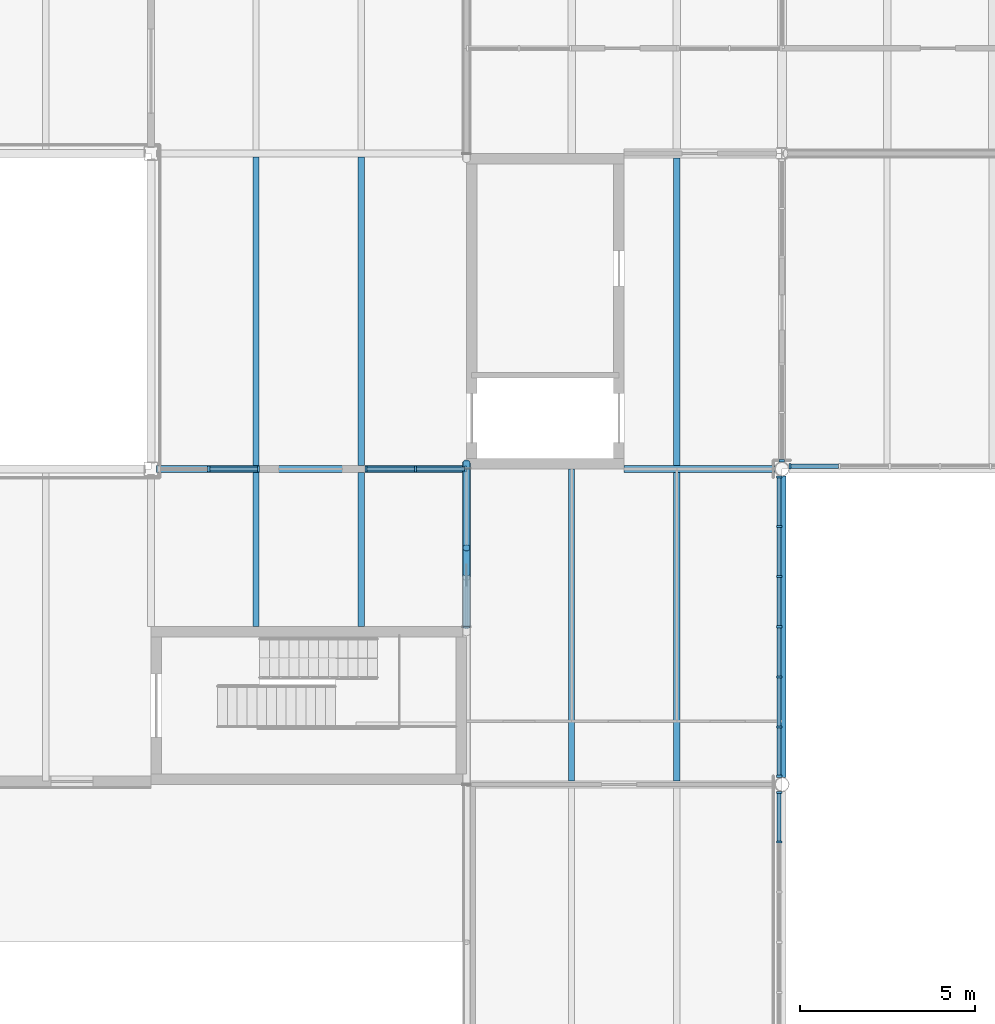
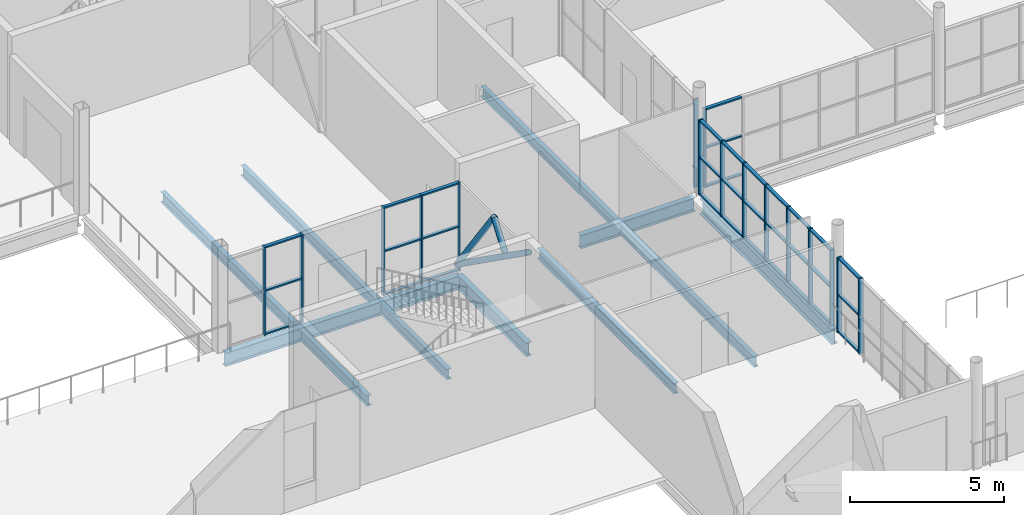
# One storey, part 16 of 57: 52 members, 11 beams, 6 elements without a shape of their own.
"""IFC4 building model written with IfcOpenShell, lengths in metres."""

from ifc_helpers import new_model, si_unit, direction, frame, origin, origin_2d, place, context, subcontext, project, spatial, rectangle, hollow_circle, i_section, extrude, material, layer, layer_set, material_profile, profile_set, type_object, element, aggregate, save


model = new_model("IFC4")

# Units and contexts
model_context = context("Model", 3, precision=1e-05, world=origin(), true_north=direction((0.0, 1.0)))
body_context = subcontext(model_context, "Body", "Model", "MODEL_VIEW")
ifc_project = project(units=[si_unit("LENGTHUNIT", "METRE"), si_unit("AREAUNIT", "SQUARE_METRE"), si_unit("VOLUMEUNIT", "CUBIC_METRE"), si_unit("PLANEANGLEUNIT", "RADIAN"), si_unit("MASSUNIT", "GRAM", prefix="KILO")], contexts=[model_context])

# Site, building, storey
site_placement = place(None, origin())
site = spatial("IfcSite", under=ifc_project, at=site_placement, CompositionType="ELEMENT")
building_placement = place(site_placement, origin())
building = spatial("IfcBuilding", under=site, at=building_placement, Name="Halyard Row Museum", CompositionType="ELEMENT")
storey_placement = place(building_placement, frame((0.0, 0.0, 5.0)))
storey = spatial("IfcBuildingStorey", under=building, at=storey_placement, Name="L01", CompositionType="ELEMENT", Elevation=5.0)

# Members
ifc_material_1 = material(Name="Steel Grade C350L0", Category="steel")
ifc_material_profile_1 = material_profile(ifc_material_1, hollow_circle(Radius=0.109619140625, WallThickness=0.00830078125, at=origin_2d()), Name="219.1x8.2CHS")
ifc_profile_set_1 = profile_set([ifc_material_profile_1], Name="Steel Grade C350L0")
member_type_1 = type_object("IfcMemberType", Name="Brace 219.1x8.2CHS", PredefinedType="BRACE", material=ifc_profile_set_1)
member_1_placement = place(storey_placement, frame((72.0, 27.169921875, 0.109619140625), z_axis=(0.0, -0.815943991919, 0.578130955797), x_axis=(1.0, 0.0, 0.0)))
element("IfcMember", 1, at=member_1_placement, inside=storey, type_object=member_type_1, Name="Brace L01 X72 18-27 B", PredefinedType="BRACE", context=body_context, shape_type="SweptSolid", body=[
    extrude(hollow_circle(Radius=0.109619140625, WallThickness=0.00830078125, at=origin_2d()), origin(), (0.0, 0.0, 1.0), 5.723388671875),
])
member_2_placement = place(storey_placement, frame((72.0, 24.0380859375, 2.462890625), z_axis=(0.0, 0.58754853395, 0.809188927416), x_axis=(-1.0, 0.0, 0.0)))
element("IfcMember", 2, at=member_2_placement, inside=storey, type_object=member_type_1, Name="Brace L01 X72 22.5-27 A upper", PredefinedType="BRACE", context=body_context, shape_type="SweptSolid", body=[
    extrude(hollow_circle(Radius=0.109619140625, WallThickness=0.00830078125, at=origin_2d()), origin(), (0.0, 0.0, 1.0), 1.211669921875),
])
member_3_placement = place(storey_placement, frame((72.0, 27.169921875, 0.109619140625), z_axis=(0.0, -0.587438487469, 0.809268820257), x_axis=(1.0, 0.0, 0.0)))
element("IfcMember", 3, at=member_3_placement, inside=storey, type_object=member_type_1, Name="Brace L01 X72 22.5-27 B", PredefinedType="BRACE", context=body_context, shape_type="SweptSolid", body=[
    extrude(hollow_circle(Radius=0.109619140625, WallThickness=0.00830078125, at=origin_2d()), origin(), (0.0, 0.0, 1.0), 4.119384765625),
])

# Curtain wall, member
ifc_material_2 = material(Name="Fire-resisting laminated glazing", Category="glass")
ifc_layer = layer(ifc_material_2, 0.159912109375)
ifc_layer_set = layer_set([ifc_layer], Name="Fire-resisting laminated glazing")
curtain_wall_type = type_object("IfcCurtainWallType", Name="Curtain wall atrium screen 160 deep", PredefinedType="NOTDEFINED", material=ifc_layer_set)
curtain_wall_1_placement = place(storey_placement, origin())
curtain_wall_1 = element("IfcCurtainWall", 4, at=curtain_wall_1_placement, inside=storey, type_object=curtain_wall_type, Name="Curtain wall CW081", PredefinedType="NOTDEFINED")
ifc_material_3 = material(Name="Powder-coated aluminium section", Category="aluminium")
ifc_material_profile_2 = material_profile(ifc_material_3, rectangle(XDim=0.159912109375, YDim=0.06005859375, at=origin_2d()), Name="160x60 mullion")
ifc_profile_set_2 = profile_set([ifc_material_profile_2], Name="Powder-coated aluminium section")
member_type_2 = type_object("IfcMemberType", Name="Curtain wall mullion CM5 60 x 160", PredefinedType="MULLION", material=ifc_profile_set_2)
member_4_placement = place(storey_placement, frame((81.233154296875, 27.080078125, 0.0), z_axis=(0.0, 0.0, 1.0), x_axis=(0.0, -1.0, 0.0)))
member_4 = element("IfcMember", 5, at=member_4_placement, type_object=member_type_2, Name="CW081 mullion 7", PredefinedType="MULLION", context=body_context, shape_type="SweptSolid", body=[
    extrude(rectangle(XDim=0.159912109375, YDim=0.06005859375, at=origin_2d()), origin(), (0.0, 0.0, 1.0), 3.12451171875),
])

# Curtain wall, members
curtain_wall_2_placement = place(storey_placement, origin())
curtain_wall_2 = element("IfcCurtainWall", 6, at=curtain_wall_2_placement, inside=storey, type_object=curtain_wall_type, Name="Curtain wall CW082", PredefinedType="NOTDEFINED")
member_5_placement = place(storey_placement, frame((80.919921875, 26.766845703125, 0.0), z_axis=(0.0, 0.0, 1.0), x_axis=(1.0, 0.0, 0.0)))
member_5 = element("IfcMember", 7, at=member_5_placement, type_object=member_type_2, Name="CW082 mullion 1", PredefinedType="MULLION", context=body_context, shape_type="SweptSolid", body=[
    extrude(rectangle(XDim=0.159912109375, YDim=0.06005859375, at=origin_2d()), origin(), (0.0, 0.0, 1.0), 2.985107421875),
])
member_6_placement = place(storey_placement, frame((80.919921875, 25.364501953125, 0.0), z_axis=(0.0, 0.0, 1.0), x_axis=(1.0, 0.0, 0.0)))
member_6 = element("IfcMember", 8, at=member_6_placement, type_object=member_type_2, Name="CW082 mullion 2", PredefinedType="MULLION", context=body_context, shape_type="SweptSolid", body=[
    extrude(rectangle(XDim=0.159912109375, YDim=0.06005859375, at=origin_2d()), origin(), (0.0, 0.0, 1.0), 2.985107421875),
])
member_7_placement = place(storey_placement, frame((80.919921875, 23.932373046875, 0.0), z_axis=(0.0, 0.0, 1.0), x_axis=(1.0, 0.0, 0.0)))
member_7 = element("IfcMember", 9, at=member_7_placement, type_object=member_type_2, Name="CW082 mullion 3", PredefinedType="MULLION", context=body_context, shape_type="SweptSolid", body=[
    extrude(rectangle(XDim=0.159912109375, YDim=0.06005859375, at=origin_2d()), origin(), (0.0, 0.0, 1.0), 2.985107421875),
])
member_8_placement = place(storey_placement, frame((80.919921875, 22.5, 0.0), z_axis=(0.0, 0.0, 1.0), x_axis=(1.0, 0.0, 0.0)))
member_8 = element("IfcMember", 10, at=member_8_placement, type_object=member_type_2, Name="CW082 mullion 4", PredefinedType="MULLION", context=body_context, shape_type="SweptSolid", body=[
    extrude(rectangle(XDim=0.159912109375, YDim=0.06005859375, at=origin_2d()), origin(), (0.0, 0.0, 1.0), 2.985107421875),
])
member_9_placement = place(storey_placement, frame((80.919921875, 21.067626953125, 0.0), z_axis=(0.0, 0.0, 1.0), x_axis=(1.0, 0.0, 0.0)))
member_9 = element("IfcMember", 11, at=member_9_placement, type_object=member_type_2, Name="CW082 mullion 5", PredefinedType="MULLION", context=body_context, shape_type="SweptSolid", body=[
    extrude(rectangle(XDim=0.159912109375, YDim=0.06005859375, at=origin_2d()), origin(), (0.0, 0.0, 1.0), 2.985107421875),
])
member_10_placement = place(storey_placement, frame((80.919921875, 19.635498046875, 0.0), z_axis=(0.0, 0.0, 1.0), x_axis=(1.0, 0.0, 0.0)))
member_10 = element("IfcMember", 12, at=member_10_placement, type_object=member_type_2, Name="CW082 mullion 6", PredefinedType="MULLION", context=body_context, shape_type="SweptSolid", body=[
    extrude(rectangle(XDim=0.159912109375, YDim=0.06005859375, at=origin_2d()), origin(), (0.0, 0.0, 1.0), 2.985107421875),
])
member_11_placement = place(storey_placement, frame((80.919921875, 18.233154296875, 0.0), z_axis=(0.0, 0.0, 1.0), x_axis=(1.0, 0.0, 0.0)))
member_11 = element("IfcMember", 13, at=member_11_placement, type_object=member_type_2, Name="CW082 mullion 7", PredefinedType="MULLION", context=body_context, shape_type="SweptSolid", body=[
    extrude(rectangle(XDim=0.159912109375, YDim=0.06005859375, at=origin_2d()), origin(), (0.0, 0.0, 1.0), 2.985107421875),
])

curtain_wall_3_placement = place(storey_placement, origin())
curtain_wall_3 = element("IfcCurtainWall", 14, at=curtain_wall_3_placement, inside=storey, type_object=curtain_wall_type, Name="Curtain wall CW083", PredefinedType="NOTDEFINED")
member_12_placement = place(storey_placement, frame((80.919921875, 17.766845703125, 0.0), z_axis=(0.0, 0.0, 1.0), x_axis=(1.0, 0.0, 0.0)))
member_12 = element("IfcMember", 15, at=member_12_placement, type_object=member_type_2, Name="CW083 mullion 1", PredefinedType="MULLION", context=body_context, shape_type="SweptSolid", body=[
    extrude(rectangle(XDim=0.159912109375, YDim=0.06005859375, at=origin_2d()), origin(), (0.0, 0.0, 1.0), 2.985107421875),
])
member_13_placement = place(storey_placement, frame((80.919921875, 16.364501953125, 0.0), z_axis=(0.0, 0.0, 1.0), x_axis=(1.0, 0.0, 0.0)))
member_13 = element("IfcMember", 16, at=member_13_placement, type_object=member_type_2, Name="CW083 mullion 2", PredefinedType="MULLION", context=body_context, shape_type="SweptSolid", body=[
    extrude(rectangle(XDim=0.159912109375, YDim=0.06005859375, at=origin_2d()), origin(), (0.0, 0.0, 1.0), 2.985107421875),
])

curtain_wall_4_placement = place(storey_placement, origin())
curtain_wall_4 = element("IfcCurtainWall", 17, at=curtain_wall_4_placement, inside=storey, type_object=curtain_wall_type, Name="Curtain wall CW142", PredefinedType="NOTDEFINED")
member_14_placement = place(storey_placement, frame((64.64990234375, 27.0, 0.0), z_axis=(0.0, 0.0, 1.0), x_axis=(0.0, 1.0, 0.0)))
member_14 = element("IfcMember", 18, at=member_14_placement, type_object=member_type_2, Name="CW142 mullion 2", PredefinedType="MULLION", context=body_context, shape_type="SweptSolid", body=[
    extrude(rectangle(XDim=0.159912109375, YDim=0.06005859375, at=origin_2d()), origin(), (0.0, 0.0, 1.0), 3.501953125),
])
member_15_placement = place(storey_placement, frame((66.070068359375, 27.0, 0.0), z_axis=(0.0, 0.0, 1.0), x_axis=(0.0, 1.0, 0.0)))
member_15 = element("IfcMember", 19, at=member_15_placement, type_object=member_type_2, Name="CW142 mullion 3", PredefinedType="MULLION", context=body_context, shape_type="SweptSolid", body=[
    extrude(rectangle(XDim=0.159912109375, YDim=0.06005859375, at=origin_2d()), origin(), (0.0, 0.0, 1.0), 3.501953125),
])

curtain_wall_5_placement = place(storey_placement, origin())
curtain_wall_5 = element("IfcCurtainWall", 20, at=curtain_wall_5_placement, inside=storey, type_object=curtain_wall_type, Name="Curtain wall CW143", PredefinedType="NOTDEFINED")
member_16_placement = place(storey_placement, frame((69.1298828125, 27.0, 0.0), z_axis=(0.0, 0.0, 1.0), x_axis=(0.0, 1.0, 0.0)))
member_16 = element("IfcMember", 21, at=member_16_placement, type_object=member_type_2, Name="CW143 mullion 1", PredefinedType="MULLION", context=body_context, shape_type="SweptSolid", body=[
    extrude(rectangle(XDim=0.159912109375, YDim=0.06005859375, at=origin_2d()), origin(), (0.0, 0.0, 1.0), 3.501953125),
])
member_17_placement = place(storey_placement, frame((70.550048828125, 27.0, 0.0), z_axis=(0.0, 0.0, 1.0), x_axis=(0.0, 1.0, 0.0)))
member_17 = element("IfcMember", 22, at=member_17_placement, type_object=member_type_2, Name="CW143 mullion 2", PredefinedType="MULLION", context=body_context, shape_type="SweptSolid", body=[
    extrude(rectangle(XDim=0.159912109375, YDim=0.06005859375, at=origin_2d()), origin(), (0.0, 0.0, 1.0), 3.501953125),
])
member_18_placement = place(storey_placement, frame((71.969970703125, 27.0, 0.0), z_axis=(0.0, 0.0, 1.0), x_axis=(0.0, 1.0, 0.0)))
member_18 = element("IfcMember", 23, at=member_18_placement, type_object=member_type_2, Name="CW143 mullion 3", PredefinedType="MULLION", context=body_context, shape_type="SweptSolid", body=[
    extrude(rectangle(XDim=0.159912109375, YDim=0.06005859375, at=origin_2d()), origin(), (0.0, 0.0, 1.0), 3.501953125),
])

# Curtain wall, member
curtain_wall_6_placement = place(storey_placement, origin())
curtain_wall_6 = element("IfcCurtainWall", 24, at=curtain_wall_6_placement, inside=storey, type_object=curtain_wall_type, Name="Curtain wall CW144", PredefinedType="NOTDEFINED")
member_19_placement = place(storey_placement, frame((81.0, 27.233154296875, 0.0), z_axis=(0.0, 0.0, 1.0), x_axis=(-1.0, 0.0, 0.0)))
member_19 = element("IfcMember", 25, at=member_19_placement, type_object=member_type_2, Name="CW144 mullion 1", PredefinedType="MULLION", context=body_context, shape_type="SweptSolid", body=[
    extrude(rectangle(XDim=0.159912109375, YDim=0.06005859375, at=origin_2d()), origin(), (0.0, 0.0, 1.0), 3.501953125),
])
aggregate(curtain_wall_6, [member_19])

# Member
ifc_material_4 = material(Name="Powder-coated aluminium section", Category="aluminium")
ifc_material_profile_3 = material_profile(ifc_material_4, rectangle(XDim=0.1201171875, YDim=0.06005859375, at=origin_2d()), Name="120x60 transom")
ifc_profile_set_3 = profile_set([ifc_material_profile_3], Name="Powder-coated aluminium section")
member_type_3 = type_object("IfcMemberType", Name="Curtain wall transom CT5 60 x 120", PredefinedType="USERDEFINED", material=ifc_profile_set_3)
member_20_placement = place(storey_placement, frame((82.609619140625, 27.080078125, 0.030029296875), z_axis=(-1.0, 0.0, 0.0), x_axis=(0.0, -1.0, 0.0)))
member_20 = element("IfcMember", 26, at=member_20_placement, type_object=member_type_3, Name="CW081 transom 6.1", ObjectType="TRANSOM", PredefinedType="USERDEFINED", context=body_context, shape_type="SweptSolid", body=[
    extrude(rectangle(XDim=0.1201171875, YDim=0.06005859375, at=origin_2d()), origin(), (0.0, 0.0, 1.0), 1.346435546875),
])

member_21_placement = place(storey_placement, frame((82.609619140625, 27.080078125, 1.562255859375), z_axis=(-1.0, 0.0, 0.0), x_axis=(0.0, -1.0, 0.0)))
member_21 = element("IfcMember", 27, at=member_21_placement, type_object=member_type_3, Name="CW081 transom 6.2", ObjectType="TRANSOM", PredefinedType="USERDEFINED", context=body_context, shape_type="SweptSolid", body=[
    extrude(rectangle(XDim=0.1201171875, YDim=0.06005859375, at=origin_2d()), origin(), (0.0, 0.0, 1.0), 1.346435546875),
])

member_22_placement = place(storey_placement, frame((82.609619140625, 27.080078125, 3.094482421875), z_axis=(-1.0, 0.0, 0.0), x_axis=(0.0, -1.0, 0.0)))
member_22 = element("IfcMember", 28, at=member_22_placement, type_object=member_type_3, Name="CW081 transom 6.3", ObjectType="TRANSOM", PredefinedType="USERDEFINED", context=body_context, shape_type="SweptSolid", body=[
    extrude(rectangle(XDim=0.1201171875, YDim=0.06005859375, at=origin_2d()), origin(), (0.0, 0.0, 1.0), 1.346435546875),
])

aggregate(curtain_wall_1, [member_4, member_20, member_21, member_22])

member_23_placement = place(storey_placement, frame((80.919921875, 26.73681640625, 0.030029296875), z_axis=(0.0, -1.0, 0.0), x_axis=(1.0, 0.0, 0.0)))
member_23 = element("IfcMember", 29, at=member_23_placement, type_object=member_type_3, Name="CW082 transom 1.1", ObjectType="TRANSOM", PredefinedType="USERDEFINED", context=body_context, shape_type="SweptSolid", body=[
    extrude(rectangle(XDim=0.1201171875, YDim=0.06005859375, at=origin_2d()), origin(), (0.0, 0.0, 1.0), 1.34228515625),
])

member_24_placement = place(storey_placement, frame((80.919921875, 26.73681640625, 1.492431640625), z_axis=(0.0, -1.0, 0.0), x_axis=(1.0, 0.0, 0.0)))
member_24 = element("IfcMember", 30, at=member_24_placement, type_object=member_type_3, Name="CW082 transom 1.2", ObjectType="TRANSOM", PredefinedType="USERDEFINED", context=body_context, shape_type="SweptSolid", body=[
    extrude(rectangle(XDim=0.1201171875, YDim=0.06005859375, at=origin_2d()), origin(), (0.0, 0.0, 1.0), 1.34228515625),
])

member_25_placement = place(storey_placement, frame((80.919921875, 26.73681640625, 2.955078125), z_axis=(0.0, -1.0, 0.0), x_axis=(1.0, 0.0, 0.0)))
member_25 = element("IfcMember", 31, at=member_25_placement, type_object=member_type_3, Name="CW082 transom 1.3", ObjectType="TRANSOM", PredefinedType="USERDEFINED", context=body_context, shape_type="SweptSolid", body=[
    extrude(rectangle(XDim=0.1201171875, YDim=0.06005859375, at=origin_2d()), origin(), (0.0, 0.0, 1.0), 1.34228515625),
])

member_26_placement = place(storey_placement, frame((80.919921875, 25.33447265625, 0.030029296875), z_axis=(0.0, -1.0, 0.0), x_axis=(1.0, 0.0, 0.0)))
member_26 = element("IfcMember", 32, at=member_26_placement, type_object=member_type_3, Name="CW082 transom 2.1", ObjectType="TRANSOM", PredefinedType="USERDEFINED", context=body_context, shape_type="SweptSolid", body=[
    extrude(rectangle(XDim=0.1201171875, YDim=0.06005859375, at=origin_2d()), origin(), (0.0, 0.0, 1.0), 1.372314453125),
])

member_27_placement = place(storey_placement, frame((80.919921875, 25.33447265625, 1.492431640625), z_axis=(0.0, -1.0, 0.0), x_axis=(1.0, 0.0, 0.0)))
member_27 = element("IfcMember", 33, at=member_27_placement, type_object=member_type_3, Name="CW082 transom 2.2", ObjectType="TRANSOM", PredefinedType="USERDEFINED", context=body_context, shape_type="SweptSolid", body=[
    extrude(rectangle(XDim=0.1201171875, YDim=0.06005859375, at=origin_2d()), origin(), (0.0, 0.0, 1.0), 1.372314453125),
])

member_28_placement = place(storey_placement, frame((80.919921875, 25.33447265625, 2.955078125), z_axis=(0.0, -1.0, 0.0), x_axis=(1.0, 0.0, 0.0)))
member_28 = element("IfcMember", 34, at=member_28_placement, type_object=member_type_3, Name="CW082 transom 2.3", ObjectType="TRANSOM", PredefinedType="USERDEFINED", context=body_context, shape_type="SweptSolid", body=[
    extrude(rectangle(XDim=0.1201171875, YDim=0.06005859375, at=origin_2d()), origin(), (0.0, 0.0, 1.0), 1.372314453125),
])

member_29_placement = place(storey_placement, frame((80.919921875, 23.90234375, 0.030029296875), z_axis=(0.0, -1.0, 0.0), x_axis=(1.0, 0.0, 0.0)))
member_29 = element("IfcMember", 35, at=member_29_placement, type_object=member_type_3, Name="CW082 transom 3.1", ObjectType="TRANSOM", PredefinedType="USERDEFINED", context=body_context, shape_type="SweptSolid", body=[
    extrude(rectangle(XDim=0.1201171875, YDim=0.06005859375, at=origin_2d()), origin(), (0.0, 0.0, 1.0), 1.372314453125),
])

member_30_placement = place(storey_placement, frame((80.919921875, 23.90234375, 1.492431640625), z_axis=(0.0, -1.0, 0.0), x_axis=(1.0, 0.0, 0.0)))
member_30 = element("IfcMember", 36, at=member_30_placement, type_object=member_type_3, Name="CW082 transom 3.2", ObjectType="TRANSOM", PredefinedType="USERDEFINED", context=body_context, shape_type="SweptSolid", body=[
    extrude(rectangle(XDim=0.1201171875, YDim=0.06005859375, at=origin_2d()), origin(), (0.0, 0.0, 1.0), 1.372314453125),
])

member_31_placement = place(storey_placement, frame((80.919921875, 23.90234375, 2.955078125), z_axis=(0.0, -1.0, 0.0), x_axis=(1.0, 0.0, 0.0)))
member_31 = element("IfcMember", 37, at=member_31_placement, type_object=member_type_3, Name="CW082 transom 3.3", ObjectType="TRANSOM", PredefinedType="USERDEFINED", context=body_context, shape_type="SweptSolid", body=[
    extrude(rectangle(XDim=0.1201171875, YDim=0.06005859375, at=origin_2d()), origin(), (0.0, 0.0, 1.0), 1.372314453125),
])

member_32_placement = place(storey_placement, frame((80.919921875, 22.469970703125, 0.030029296875), z_axis=(0.0, -1.0, 0.0), x_axis=(1.0, 0.0, 0.0)))
member_32 = element("IfcMember", 38, at=member_32_placement, type_object=member_type_3, Name="CW082 transom 4.1", ObjectType="TRANSOM", PredefinedType="USERDEFINED", context=body_context, shape_type="SweptSolid", body=[
    extrude(rectangle(XDim=0.1201171875, YDim=0.06005859375, at=origin_2d()), origin(), (0.0, 0.0, 1.0), 1.372314453125),
])

member_33_placement = place(storey_placement, frame((80.919921875, 22.469970703125, 1.492431640625), z_axis=(0.0, -1.0, 0.0), x_axis=(1.0, 0.0, 0.0)))
member_33 = element("IfcMember", 39, at=member_33_placement, type_object=member_type_3, Name="CW082 transom 4.2", ObjectType="TRANSOM", PredefinedType="USERDEFINED", context=body_context, shape_type="SweptSolid", body=[
    extrude(rectangle(XDim=0.1201171875, YDim=0.06005859375, at=origin_2d()), origin(), (0.0, 0.0, 1.0), 1.372314453125),
])

member_34_placement = place(storey_placement, frame((80.919921875, 22.469970703125, 2.955078125), z_axis=(0.0, -1.0, 0.0), x_axis=(1.0, 0.0, 0.0)))
member_34 = element("IfcMember", 40, at=member_34_placement, type_object=member_type_3, Name="CW082 transom 4.3", ObjectType="TRANSOM", PredefinedType="USERDEFINED", context=body_context, shape_type="SweptSolid", body=[
    extrude(rectangle(XDim=0.1201171875, YDim=0.06005859375, at=origin_2d()), origin(), (0.0, 0.0, 1.0), 1.372314453125),
])

member_35_placement = place(storey_placement, frame((80.919921875, 21.037841796875, 0.030029296875), z_axis=(0.0, -1.0, 0.0), x_axis=(1.0, 0.0, 0.0)))
member_35 = element("IfcMember", 41, at=member_35_placement, type_object=member_type_3, Name="CW082 transom 5.1", ObjectType="TRANSOM", PredefinedType="USERDEFINED", context=body_context, shape_type="SweptSolid", body=[
    extrude(rectangle(XDim=0.1201171875, YDim=0.06005859375, at=origin_2d()), origin(), (0.0, 0.0, 1.0), 1.372314453125),
])

member_36_placement = place(storey_placement, frame((80.919921875, 21.037841796875, 1.492431640625), z_axis=(0.0, -1.0, 0.0), x_axis=(1.0, 0.0, 0.0)))
member_36 = element("IfcMember", 42, at=member_36_placement, type_object=member_type_3, Name="CW082 transom 5.2", ObjectType="TRANSOM", PredefinedType="USERDEFINED", context=body_context, shape_type="SweptSolid", body=[
    extrude(rectangle(XDim=0.1201171875, YDim=0.06005859375, at=origin_2d()), origin(), (0.0, 0.0, 1.0), 1.372314453125),
])

member_37_placement = place(storey_placement, frame((80.919921875, 21.037841796875, 2.955078125), z_axis=(0.0, -1.0, 0.0), x_axis=(1.0, 0.0, 0.0)))
member_37 = element("IfcMember", 43, at=member_37_placement, type_object=member_type_3, Name="CW082 transom 5.3", ObjectType="TRANSOM", PredefinedType="USERDEFINED", context=body_context, shape_type="SweptSolid", body=[
    extrude(rectangle(XDim=0.1201171875, YDim=0.06005859375, at=origin_2d()), origin(), (0.0, 0.0, 1.0), 1.372314453125),
])

member_38_placement = place(storey_placement, frame((80.919921875, 19.60546875, 0.030029296875), z_axis=(0.0, -1.0, 0.0), x_axis=(1.0, 0.0, 0.0)))
member_38 = element("IfcMember", 44, at=member_38_placement, type_object=member_type_3, Name="CW082 transom 6.1", ObjectType="TRANSOM", PredefinedType="USERDEFINED", context=body_context, shape_type="SweptSolid", body=[
    extrude(rectangle(XDim=0.1201171875, YDim=0.06005859375, at=origin_2d()), origin(), (0.0, 0.0, 1.0), 1.34228515625),
])

member_39_placement = place(storey_placement, frame((80.919921875, 19.60546875, 1.492431640625), z_axis=(0.0, -1.0, 0.0), x_axis=(1.0, 0.0, 0.0)))
member_39 = element("IfcMember", 45, at=member_39_placement, type_object=member_type_3, Name="CW082 transom 6.2", ObjectType="TRANSOM", PredefinedType="USERDEFINED", context=body_context, shape_type="SweptSolid", body=[
    extrude(rectangle(XDim=0.1201171875, YDim=0.06005859375, at=origin_2d()), origin(), (0.0, 0.0, 1.0), 1.34228515625),
])

member_40_placement = place(storey_placement, frame((80.919921875, 19.60546875, 2.955078125), z_axis=(0.0, -1.0, 0.0), x_axis=(1.0, 0.0, 0.0)))
member_40 = element("IfcMember", 46, at=member_40_placement, type_object=member_type_3, Name="CW082 transom 6.3", ObjectType="TRANSOM", PredefinedType="USERDEFINED", context=body_context, shape_type="SweptSolid", body=[
    extrude(rectangle(XDim=0.1201171875, YDim=0.06005859375, at=origin_2d()), origin(), (0.0, 0.0, 1.0), 1.34228515625),
])

aggregate(curtain_wall_2, [member_5, member_6, member_7, member_8, member_9, member_10, member_11, member_23, member_24, member_25, member_26, member_27, member_28, member_29, member_30, member_31, member_32, member_33, member_34, member_35, member_36, member_37, member_38, member_39, member_40])

member_41_placement = place(storey_placement, frame((80.919921875, 17.73681640625, 0.030029296875), z_axis=(0.0, -1.0, 0.0), x_axis=(1.0, 0.0, 0.0)))
member_41 = element("IfcMember", 47, at=member_41_placement, type_object=member_type_3, Name="CW083 transom 1.1", ObjectType="TRANSOM", PredefinedType="USERDEFINED", context=body_context, shape_type="SweptSolid", body=[
    extrude(rectangle(XDim=0.1201171875, YDim=0.06005859375, at=origin_2d()), origin(), (0.0, 0.0, 1.0), 1.34228515625),
])

member_42_placement = place(storey_placement, frame((80.919921875, 17.73681640625, 1.492431640625), z_axis=(0.0, -1.0, 0.0), x_axis=(1.0, 0.0, 0.0)))
member_42 = element("IfcMember", 48, at=member_42_placement, type_object=member_type_3, Name="CW083 transom 1.2", ObjectType="TRANSOM", PredefinedType="USERDEFINED", context=body_context, shape_type="SweptSolid", body=[
    extrude(rectangle(XDim=0.1201171875, YDim=0.06005859375, at=origin_2d()), origin(), (0.0, 0.0, 1.0), 1.34228515625),
])

member_43_placement = place(storey_placement, frame((80.919921875, 17.73681640625, 2.955078125), z_axis=(0.0, -1.0, 0.0), x_axis=(1.0, 0.0, 0.0)))
member_43 = element("IfcMember", 49, at=member_43_placement, type_object=member_type_3, Name="CW083 transom 1.3", ObjectType="TRANSOM", PredefinedType="USERDEFINED", context=body_context, shape_type="SweptSolid", body=[
    extrude(rectangle(XDim=0.1201171875, YDim=0.06005859375, at=origin_2d()), origin(), (0.0, 0.0, 1.0), 1.34228515625),
])

aggregate(curtain_wall_3, [member_12, member_13, member_41, member_42, member_43])

member_44_placement = place(storey_placement, frame((64.679931640625, 27.0, 0.030029296875), z_axis=(1.0, 0.0, 0.0), x_axis=(0.0, 1.0, 0.0)))
member_44 = element("IfcMember", 50, at=member_44_placement, type_object=member_type_3, Name="CW142 transom 2.1", ObjectType="TRANSOM", PredefinedType="USERDEFINED", context=body_context, shape_type="SweptSolid", body=[
    extrude(rectangle(XDim=0.1201171875, YDim=0.06005859375, at=origin_2d()), origin(), (0.0, 0.0, 1.0), 1.360107421875),
])

member_45_placement = place(storey_placement, frame((64.679931640625, 27.0, 1.7509765625), z_axis=(1.0, 0.0, 0.0), x_axis=(0.0, 1.0, 0.0)))
member_45 = element("IfcMember", 51, at=member_45_placement, type_object=member_type_3, Name="CW142 transom 2.2", ObjectType="TRANSOM", PredefinedType="USERDEFINED", context=body_context, shape_type="SweptSolid", body=[
    extrude(rectangle(XDim=0.1201171875, YDim=0.06005859375, at=origin_2d()), origin(), (0.0, 0.0, 1.0), 1.360107421875),
])

member_46_placement = place(storey_placement, frame((64.679931640625, 27.0, 3.471923828125), z_axis=(1.0, 0.0, 0.0), x_axis=(0.0, 1.0, 0.0)))
member_46 = element("IfcMember", 52, at=member_46_placement, type_object=member_type_3, Name="CW142 transom 2.3", ObjectType="TRANSOM", PredefinedType="USERDEFINED", context=body_context, shape_type="SweptSolid", body=[
    extrude(rectangle(XDim=0.1201171875, YDim=0.06005859375, at=origin_2d()), origin(), (0.0, 0.0, 1.0), 1.360107421875),
])

aggregate(curtain_wall_4, [member_14, member_15, member_44, member_45, member_46])

member_47_placement = place(storey_placement, frame((69.159912109375, 27.0, 0.030029296875), z_axis=(1.0, 0.0, 0.0), x_axis=(0.0, 1.0, 0.0)))
member_47 = element("IfcMember", 53, at=member_47_placement, type_object=member_type_3, Name="CW143 transom 1.1", ObjectType="TRANSOM", PredefinedType="USERDEFINED", context=body_context, shape_type="SweptSolid", body=[
    extrude(rectangle(XDim=0.1201171875, YDim=0.06005859375, at=origin_2d()), origin(), (0.0, 0.0, 1.0), 1.360107421875),
])

member_48_placement = place(storey_placement, frame((69.159912109375, 27.0, 1.7509765625), z_axis=(1.0, 0.0, 0.0), x_axis=(0.0, 1.0, 0.0)))
member_48 = element("IfcMember", 54, at=member_48_placement, type_object=member_type_3, Name="CW143 transom 1.2", ObjectType="TRANSOM", PredefinedType="USERDEFINED", context=body_context, shape_type="SweptSolid", body=[
    extrude(rectangle(XDim=0.1201171875, YDim=0.06005859375, at=origin_2d()), origin(), (0.0, 0.0, 1.0), 1.360107421875),
])

member_49_placement = place(storey_placement, frame((69.159912109375, 27.0, 3.471923828125), z_axis=(1.0, 0.0, 0.0), x_axis=(0.0, 1.0, 0.0)))
member_49 = element("IfcMember", 55, at=member_49_placement, type_object=member_type_3, Name="CW143 transom 1.3", ObjectType="TRANSOM", PredefinedType="USERDEFINED", context=body_context, shape_type="SweptSolid", body=[
    extrude(rectangle(XDim=0.1201171875, YDim=0.06005859375, at=origin_2d()), origin(), (0.0, 0.0, 1.0), 1.360107421875),
])

member_50_placement = place(storey_placement, frame((70.580078125, 27.0, 0.030029296875), z_axis=(1.0, 0.0, 0.0), x_axis=(0.0, 1.0, 0.0)))
member_50 = element("IfcMember", 56, at=member_50_placement, type_object=member_type_3, Name="CW143 transom 2.1", ObjectType="TRANSOM", PredefinedType="USERDEFINED", context=body_context, shape_type="SweptSolid", body=[
    extrude(rectangle(XDim=0.1201171875, YDim=0.06005859375, at=origin_2d()), origin(), (0.0, 0.0, 1.0), 1.35986328125),
])

member_51_placement = place(storey_placement, frame((70.580078125, 27.0, 1.7509765625), z_axis=(1.0, 0.0, 0.0), x_axis=(0.0, 1.0, 0.0)))
member_51 = element("IfcMember", 57, at=member_51_placement, type_object=member_type_3, Name="CW143 transom 2.2", ObjectType="TRANSOM", PredefinedType="USERDEFINED", context=body_context, shape_type="SweptSolid", body=[
    extrude(rectangle(XDim=0.1201171875, YDim=0.06005859375, at=origin_2d()), origin(), (0.0, 0.0, 1.0), 1.35986328125),
])

member_52_placement = place(storey_placement, frame((70.580078125, 27.0, 3.471923828125), z_axis=(1.0, 0.0, 0.0), x_axis=(0.0, 1.0, 0.0)))
member_52 = element("IfcMember", 58, at=member_52_placement, type_object=member_type_3, Name="CW143 transom 2.3", ObjectType="TRANSOM", PredefinedType="USERDEFINED", context=body_context, shape_type="SweptSolid", body=[
    extrude(rectangle(XDim=0.1201171875, YDim=0.06005859375, at=origin_2d()), origin(), (0.0, 0.0, 1.0), 1.35986328125),
])

aggregate(curtain_wall_5, [member_16, member_17, member_18, member_47, member_48, member_49, member_50, member_51, member_52])

# Beams
ifc_material_5 = material(Name="Steel Grade 300", Category="steel")
ifc_material_profile_4 = material_profile(ifc_material_5, i_section(OverallWidth=0.208984375, OverallDepth=0.532958984375, WebThickness=0.01025390625, FlangeThickness=0.015625, FilletRadius=0.013916015625, at=origin_2d()), Name="530UB92.4")
ifc_profile_set_4 = profile_set([ifc_material_profile_4], Name="Steel Grade 300")
beam_type_1 = type_object("IfcBeamType", Name="Girder beam 530UB92.4", PredefinedType="BEAM", material=ifc_profile_set_4)
beam_1_placement = place(storey_placement, frame((63.155517578125, 27.0, -0.431396484375), z_axis=(1.0, 0.0, 0.0), x_axis=(0.0, 1.0, 0.0)))
element("IfcBeam", 59, at=beam_1_placement, inside=storey, type_object=beam_type_1, Name="Beam L01-021", PredefinedType="BEAM", context=body_context, shape_type="SweptSolid", body=[
    extrude(i_section(OverallWidth=0.208984375, OverallDepth=0.532958984375, WebThickness=0.01025390625, FlangeThickness=0.015625, FilletRadius=0.013916015625, at=origin_2d()), origin(), (0.0, 0.0, 1.0), 8.844482421875),
])
beam_2_placement = place(storey_placement, frame((76.5, 27.0, -0.431396484375), z_axis=(1.0, 0.0, 0.0), x_axis=(0.0, 1.0, 0.0)))
element("IfcBeam", 60, at=beam_2_placement, inside=storey, type_object=beam_type_1, Name="Beam L01-022", PredefinedType="BEAM", context=body_context, shape_type="SweptSolid", body=[
    extrude(i_section(OverallWidth=0.208984375, OverallDepth=0.532958984375, WebThickness=0.01025390625, FlangeThickness=0.015625, FilletRadius=0.013916015625, at=origin_2d()), origin(), (0.0, 0.0, 1.0), 4.296875),
])
beam_3_placement = place(storey_placement, frame((72.0, 22.5, -0.431396484375), z_axis=(0.0, 1.0, 0.0), x_axis=(-1.0, 0.0, 0.0)))
element("IfcBeam", 61, at=beam_3_placement, inside=storey, type_object=beam_type_1, Name="Beam L01-063", PredefinedType="BEAM", context=body_context, shape_type="SweptSolid", body=[
    extrude(i_section(OverallWidth=0.208984375, OverallDepth=0.532958984375, WebThickness=0.01025390625, FlangeThickness=0.015625, FilletRadius=0.013916015625, at=origin_2d()), origin(), (0.0, 0.0, 1.0), 4.5),
])
ifc_material_6 = material(Name="Steel Grade 300", Category="steel")
ifc_material_profile_5 = material_profile(ifc_material_6, i_section(OverallWidth=0.177978515625, OverallDepth=0.406494140625, WebThickness=0.0078125, FlangeThickness=0.0126953125, FilletRadius=0.011474609375, at=origin_2d()), Name="410UB59.7")
ifc_profile_set_5 = profile_set([ifc_material_profile_5], Name="Steel Grade 300")
beam_type_2 = type_object("IfcBeamType", Name="Secondary beam 410UB59.7", PredefinedType="BEAM", material=ifc_profile_set_5)
beam_4_placement = place(storey_placement, frame((75.0, 18.1044921875, -0.3681640625), z_axis=(0.0, 1.0, 0.0), x_axis=(-1.0, 0.0, 0.0)))
element("IfcBeam", 62, at=beam_4_placement, inside=storey, type_object=beam_type_2, Name="Beam L01-107", PredefinedType="BEAM", context=body_context, shape_type="SweptSolid", body=[
    extrude(i_section(OverallWidth=0.177978515625, OverallDepth=0.406494140625, WebThickness=0.0078125, FlangeThickness=0.0126953125, FilletRadius=0.011474609375, at=origin_2d()), origin(), (0.0, 0.0, 1.0), 8.8955078125),
])
beam_5_placement = place(storey_placement, frame((78.0, 18.1044921875, -0.3681640625), z_axis=(0.0, 1.0, 0.0), x_axis=(-1.0, 0.0, 0.0)))
element("IfcBeam", 63, at=beam_5_placement, inside=storey, type_object=beam_type_2, Name="Beam L01-108", PredefinedType="BEAM", context=body_context, shape_type="SweptSolid", body=[
    extrude(i_section(OverallWidth=0.177978515625, OverallDepth=0.406494140625, WebThickness=0.0078125, FlangeThickness=0.0126953125, FilletRadius=0.011474609375, at=origin_2d()), origin(), (0.0, 0.0, 1.0), 8.791015625),
])
for number, where, z_axis, x_axis, name in (
    (64, (66.0, 22.5, -0.3681640625), (0.0, 1.0, 0.0), (-1.0, 0.0, 0.0), "Beam L01-113"),
    (65, (69.0, 22.5, -0.3681640625), (0.0, 1.0, 0.0), (-1.0, 0.0, 0.0), "Beam L01-114"),
):
    element("IfcBeam", number, at=place(storey_placement, frame(where, z_axis=z_axis, x_axis=x_axis)), inside=storey, type_object=beam_type_2, Name=name, PredefinedType="BEAM", context=body_context, shape_type="SweptSolid", body=[
        extrude(i_section(OverallWidth=0.177978515625, OverallDepth=0.406494140625, WebThickness=0.0078125, FlangeThickness=0.0126953125, FilletRadius=0.011474609375, at=origin_2d()), origin(), (0.0, 0.0, 1.0), 4.3955078125),
    ])
for number, where, z_axis, x_axis, name in (
    (66, (66.0, 27.1044921875, -0.3681640625), (0.0, 1.0, 0.0), (-1.0, 0.0, 0.0), "Beam L01-117"),
    (67, (69.0, 27.1044921875, -0.3681640625), (0.0, 1.0, 0.0), (-1.0, 0.0, 0.0), "Beam L01-118"),
):
    element("IfcBeam", number, at=place(storey_placement, frame(where, z_axis=z_axis, x_axis=x_axis)), inside=storey, type_object=beam_type_2, Name=name, PredefinedType="BEAM", context=body_context, shape_type="SweptSolid", body=[
        extrude(i_section(OverallWidth=0.177978515625, OverallDepth=0.406494140625, WebThickness=0.0078125, FlangeThickness=0.0126953125, FilletRadius=0.011474609375, at=origin_2d()), origin(), (0.0, 0.0, 1.0), 8.791015625),
    ])
beam_6_placement = place(storey_placement, frame((78.0, 27.1044921875, -0.3681640625), z_axis=(0.0, 1.0, 0.0), x_axis=(-1.0, 0.0, 0.0)))
element("IfcBeam", 68, at=beam_6_placement, inside=storey, type_object=beam_type_2, Name="Beam L01-119", PredefinedType="BEAM", context=body_context, shape_type="SweptSolid", body=[
    extrude(i_section(OverallWidth=0.177978515625, OverallDepth=0.406494140625, WebThickness=0.0078125, FlangeThickness=0.0126953125, FilletRadius=0.011474609375, at=origin_2d()), origin(), (0.0, 0.0, 1.0), 8.7705078125),
])
ifc_material_7 = material(Name="Steel Grade 300", Category="steel")
ifc_material_profile_6 = material_profile(ifc_material_7, i_section(OverallWidth=0.22802734375, OverallDepth=0.60693359375, WebThickness=0.01123046875, FlangeThickness=0.017333984375, FilletRadius=0.013916015625, at=origin_2d()), Name="610UB113")
ifc_profile_set_6 = profile_set([ifc_material_profile_6], Name="Steel Grade 300")
beam_type_3 = type_object("IfcBeamType", Name="Void edge beam 610UB113", PredefinedType="BEAM", material=ifc_profile_set_6)
beam_7_placement = place(storey_placement, frame((81.0, 18.203125, -0.468505859375), z_axis=(0.0, 1.0, 0.0), x_axis=(-1.0, 0.0, 0.0)))
element("IfcBeam", 69, at=beam_7_placement, inside=storey, type_object=beam_type_3, Name="Beam L01-067", PredefinedType="BEAM", context=body_context, shape_type="SweptSolid", body=[
    extrude(i_section(OverallWidth=0.22802734375, OverallDepth=0.60693359375, WebThickness=0.01123046875, FlangeThickness=0.017333984375, FilletRadius=0.013916015625, at=origin_2d()), origin(), (0.0, 0.0, 1.0), 8.59375),
])

save(model, "model.ifc")
